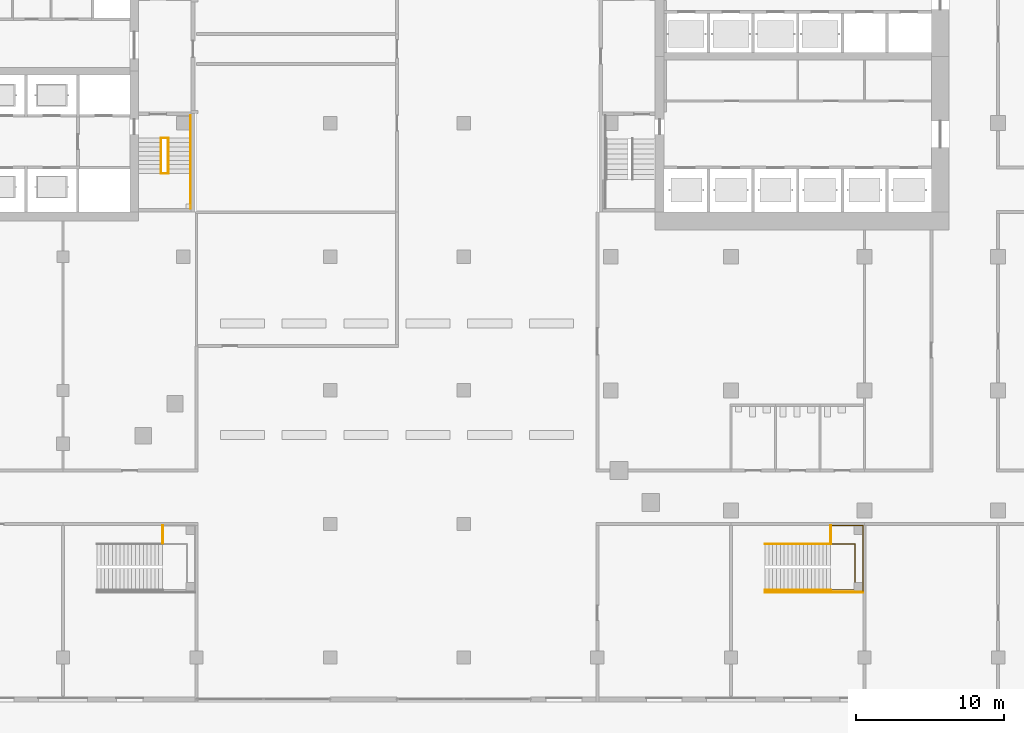
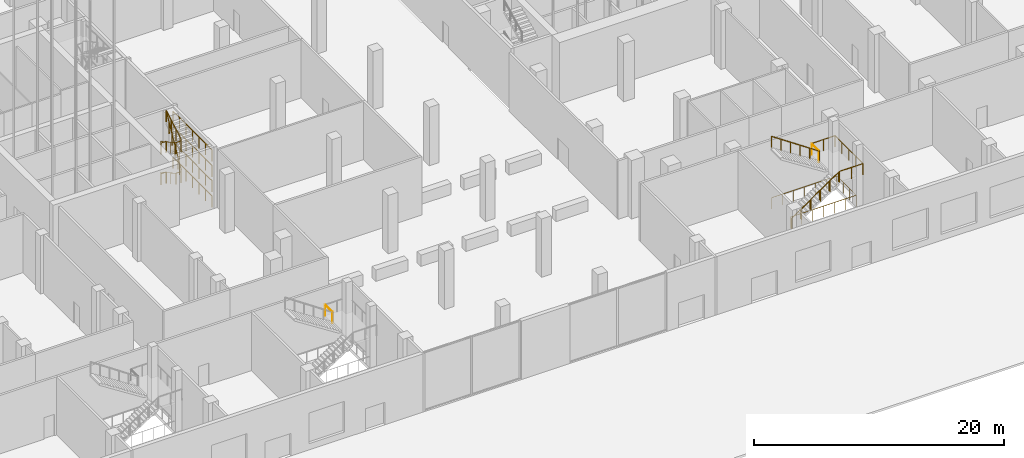
# One storey, part 48 of 55: 19 railings.
"""IFC4 building model written with IfcOpenShell, lengths in metres."""

from ifc_helpers import new_model, si_unit, direction, frame, origin, origin_2d, place, context, subcontext, project, spatial, circle, extrude, material, type_object, element, save


model = new_model("IFC4")

# Units and contexts
model_context = context("Model", 3, precision=1e-05, world=origin(), true_north=direction((0.0, 1.0)))
body_context = subcontext(model_context, "Body", "Model", "MODEL_VIEW")
ifc_project = project(units=[si_unit("LENGTHUNIT", "METRE"), si_unit("AREAUNIT", "SQUARE_METRE"), si_unit("VOLUMEUNIT", "CUBIC_METRE"), si_unit("PLANEANGLEUNIT", "RADIAN"), si_unit("MASSUNIT", "GRAM", prefix="KILO")], contexts=[model_context])

# Site, building, storey
site_placement = place(None, origin())
site = spatial("IfcSite", under=ifc_project, at=site_placement, CompositionType="ELEMENT")
building_placement = place(site_placement, origin())
building = spatial("IfcBuilding", under=site, at=building_placement, Name="Cinnabar Reach Civic Tower", CompositionType="ELEMENT")
storey_placement = place(building_placement, origin())
storey = spatial("IfcBuildingStorey", under=building, at=storey_placement, Name="L00", CompositionType="ELEMENT", Elevation=0.0)

# Railings
ifc_material_1 = material(Name="Stainless steel and glass", Category="steel")
railing_type_1 = type_object("IfcRailingType", Name="Podium guard 1100", PredefinedType="GUARDRAIL", material=ifc_material_1)
railing_1_placement = place(storey_placement, frame((15.72, -1.35, 3.0)))
element("IfcRailing", 1, at=railing_1_placement, inside=storey, type_object=railing_type_1, Name="Stair guard PS3 L00", PredefinedType="GUARDRAIL", context=body_context, shape_type="SweptSolid", body=[
    extrude(circle(Radius=0.024, at=origin_2d()), frame((0.0, 0.0, 1.076), z_axis=(-0.827413642594, 0.0, 0.561592970086), x_axis=(0.0, -1.0, 0.0)), (0.0, 0.0, 1.0), 5.3419),
    extrude(circle(Radius=0.021, at=origin_2d()), origin(), (0.0, 0.0, 1.0), 1.052),
    extrude(circle(Radius=0.021, at=origin_2d()), frame((-0.884, 0.0, 0.6)), (0.0, 0.0, 1.0), 1.052),
    extrude(circle(Radius=0.021, at=origin_2d()), frame((-1.768, 0.0, 1.2)), (0.0, 0.0, 1.0), 1.052),
    extrude(circle(Radius=0.021, at=origin_2d()), frame((-2.652, 0.0, 1.8)), (0.0, 0.0, 1.0), 1.052),
    extrude(circle(Radius=0.021, at=origin_2d()), frame((-3.536, 0.0, 2.4)), (0.0, 0.0, 1.0), 1.052),
    extrude(circle(Radius=0.021, at=origin_2d()), frame((-4.42, 0.0, 3.0)), (0.0, 0.0, 1.0), 1.052),
])
railing_2_placement = place(storey_placement, frame((15.72, -0.1, 3.0)))
element("IfcRailing", 2, at=railing_2_placement, inside=storey, type_object=railing_type_1, Name="Landing guard PS3 L00", PredefinedType="GUARDRAIL", context=body_context, shape_type="SweptSolid", body=[
    extrude(circle(Radius=0.024, at=origin_2d()), frame((0.0, 0.0, 1.076), z_axis=(1.0, 0.0, 0.0), x_axis=(0.0, 1.0, 0.0)), (0.0, 0.0, 1.0), 2.18),
    extrude(circle(Radius=0.024, at=origin_2d()), frame((2.18, 0.0, 1.076), z_axis=(0.0, -1.0, 0.0), x_axis=(1.0, 0.0, 0.0)), (0.0, 0.0, 1.0), 4.4),
    extrude(circle(Radius=0.021, at=origin_2d()), origin(), (0.0, 0.0, 1.0), 1.052),
    extrude(circle(Radius=0.021, at=origin_2d()), frame((1.09, 0.0, 0.0)), (0.0, 0.0, 1.0), 1.052),
    extrude(circle(Radius=0.021, at=origin_2d()), frame((2.18, 0.0, 0.0)), (0.0, 0.0, 1.0), 1.052),
    extrude(circle(Radius=0.021, at=origin_2d()), frame((2.18, -1.1, 0.0)), (0.0, 0.0, 1.0), 1.052),
    extrude(circle(Radius=0.021, at=origin_2d()), frame((2.18, -2.2, 0.0)), (0.0, 0.0, 1.0), 1.052),
    extrude(circle(Radius=0.021, at=origin_2d()), frame((2.18, -3.3, 0.0)), (0.0, 0.0, 1.0), 1.052),
    extrude(circle(Radius=0.021, at=origin_2d()), frame((2.18, -4.4, 0.0)), (0.0, 0.0, 1.0), 1.052),
])
railing_3_placement = place(storey_placement, frame((15.72, -1.3, 3.0)))
element("IfcRailing", 3, at=railing_3_placement, inside=storey, type_object=railing_type_1, Name="Landing guard PS3 L00 inner", PredefinedType="GUARDRAIL", context=body_context, shape_type="SweptSolid", body=[
    extrude(circle(Radius=0.024, at=origin_2d()), frame((0.0, 0.0, 1.076), z_axis=(0.0, 1.0, 0.0), x_axis=(-1.0, 0.0, 0.0)), (0.0, 0.0, 1.0), 1.2),
    extrude(circle(Radius=0.021, at=origin_2d()), origin(), (0.0, 0.0, 1.0), 1.052),
    extrude(circle(Radius=0.021, at=origin_2d()), frame((0.0, 1.2, 0.0)), (0.0, 0.0, 1.0), 1.052),
])
railing_4_placement = place(storey_placement, frame((11.3, -4.6, 0.0)))
element("IfcRailing", 4, at=railing_4_placement, inside=storey, type_object=railing_type_1, Name="Stair wall side guard PS3 L00", PredefinedType="GUARDRAIL", context=body_context, shape_type="SweptSolid", body=[
    extrude(circle(Radius=0.024, at=origin_2d()), frame((0.0, 0.0, 1.076), z_axis=(0.827413642594, 0.0, 0.561592970086), x_axis=(0.0, 1.0, 0.0)), (0.0, 0.0, 1.0), 5.3419),
    extrude(circle(Radius=0.024, at=origin_2d()), frame((4.42, 0.0, 4.076), z_axis=(1.0, 0.0, 0.0), x_axis=(0.0, 1.0, 0.0)), (0.0, 0.0, 1.0), 2.18),
    extrude(circle(Radius=0.021, at=origin_2d()), origin(), (0.0, 0.0, 1.0), 1.052),
    extrude(circle(Radius=0.021, at=origin_2d()), frame((0.884, 0.0, 0.6)), (0.0, 0.0, 1.0), 1.052),
    extrude(circle(Radius=0.021, at=origin_2d()), frame((1.768, 0.0, 1.2)), (0.0, 0.0, 1.0), 1.052),
    extrude(circle(Radius=0.021, at=origin_2d()), frame((2.652, 0.0, 1.8)), (0.0, 0.0, 1.0), 1.052),
    extrude(circle(Radius=0.021, at=origin_2d()), frame((3.536, 0.0, 2.4)), (0.0, 0.0, 1.0), 1.052),
    extrude(circle(Radius=0.021, at=origin_2d()), frame((4.42, 0.0, 3.0)), (0.0, 0.0, 1.0), 1.052),
    extrude(circle(Radius=0.021, at=origin_2d()), frame((5.51, 0.0, 3.0)), (0.0, 0.0, 1.0), 1.052),
    extrude(circle(Radius=0.021, at=origin_2d()), frame((6.6, 0.0, 3.0)), (0.0, 0.0, 1.0), 1.052),
])
railing_5_placement = place(storey_placement, frame((11.3, -4.45, 0.0)))
element("IfcRailing", 5, at=railing_5_placement, inside=storey, type_object=railing_type_1, Name="Stair well guard PS3 L00", PredefinedType="GUARDRAIL", context=body_context, shape_type="SweptSolid", body=[
    extrude(circle(Radius=0.024, at=origin_2d()), frame((0.0, 0.0, 1.076), z_axis=(1.0, 0.0, 0.0), x_axis=(0.0, 1.0, 0.0)), (0.0, 0.0, 1.0), 6.05),
    extrude(circle(Radius=0.024, at=origin_2d()), frame((6.05, 0.0, 1.076), z_axis=(0.0, 1.0, 0.0), x_axis=(-1.0, 0.0, 0.0)), (0.0, 0.0, 1.0), 3.1),
    extrude(circle(Radius=0.024, at=origin_2d()), frame((6.05, 3.1, 1.076), z_axis=(-1.0, 0.0, 0.0), x_axis=(0.0, -1.0, 0.0)), (0.0, 0.0, 1.0), 6.05),
    extrude(circle(Radius=0.021, at=origin_2d()), origin(), (0.0, 0.0, 1.0), 1.052),
    extrude(circle(Radius=0.021, at=origin_2d()), frame((1.0083, 0.0, 0.0)), (0.0, 0.0, 1.0), 1.052),
    extrude(circle(Radius=0.021, at=origin_2d()), frame((2.0167, 0.0, 0.0)), (0.0, 0.0, 1.0), 1.052),
    extrude(circle(Radius=0.021, at=origin_2d()), frame((3.025, 0.0, 0.0)), (0.0, 0.0, 1.0), 1.052),
    extrude(circle(Radius=0.021, at=origin_2d()), frame((4.0333, 0.0, 0.0)), (0.0, 0.0, 1.0), 1.052),
    extrude(circle(Radius=0.021, at=origin_2d()), frame((5.0417, 0.0, 0.0)), (0.0, 0.0, 1.0), 1.052),
    extrude(circle(Radius=0.021, at=origin_2d()), frame((6.05, 0.0, 0.0)), (0.0, 0.0, 1.0), 1.052),
    extrude(circle(Radius=0.021, at=origin_2d()), frame((6.05, 1.0333, 0.0)), (0.0, 0.0, 1.0), 1.052),
    extrude(circle(Radius=0.021, at=origin_2d()), frame((6.05, 2.0667, 0.0)), (0.0, 0.0, 1.0), 1.052),
    extrude(circle(Radius=0.021, at=origin_2d()), frame((6.05, 3.1, 0.0)), (0.0, 0.0, 1.0), 1.052),
    extrude(circle(Radius=0.021, at=origin_2d()), frame((5.0417, 3.1, 0.0)), (0.0, 0.0, 1.0), 1.052),
    extrude(circle(Radius=0.021, at=origin_2d()), frame((4.0333, 3.1, 0.0)), (0.0, 0.0, 1.0), 1.052),
    extrude(circle(Radius=0.021, at=origin_2d()), frame((3.025, 3.1, 0.0)), (0.0, 0.0, 1.0), 1.052),
    extrude(circle(Radius=0.021, at=origin_2d()), frame((2.0167, 3.1, 0.0)), (0.0, 0.0, 1.0), 1.052),
    extrude(circle(Radius=0.021, at=origin_2d()), frame((1.0083, 3.1, 0.0)), (0.0, 0.0, 1.0), 1.052),
    extrude(circle(Radius=0.021, at=origin_2d()), frame((0.0, 3.1, 0.0)), (0.0, 0.0, 1.0), 1.052),
])
railing_6_placement = place(storey_placement, frame((-29.28, -1.3, 3.0)))
element("IfcRailing", 6, at=railing_6_placement, inside=storey, type_object=railing_type_1, Name="Landing guard PS9 L00 inner", PredefinedType="GUARDRAIL", context=body_context, shape_type="SweptSolid", body=[
    extrude(circle(Radius=0.024, at=origin_2d()), frame((0.0, 0.0, 1.076), z_axis=(0.0, 1.0, 0.0), x_axis=(-1.0, 0.0, 0.0)), (0.0, 0.0, 1.0), 1.2),
    extrude(circle(Radius=0.021, at=origin_2d()), origin(), (0.0, 0.0, 1.0), 1.052),
    extrude(circle(Radius=0.021, at=origin_2d()), frame((0.0, 1.2, 0.0)), (0.0, 0.0, 1.0), 1.052),
])
ifc_material_2 = material(Name="Stainless steel", Category="steel")
railing_type_2 = type_object("IfcRailingType", Name="Podium stair handrail 900", PredefinedType="HANDRAIL", material=ifc_material_2)
railing_7_placement = place(storey_placement, frame((11.3, -4.45, 0.0)))
element("IfcRailing", 7, at=railing_7_placement, inside=storey, type_object=railing_type_2, Name="Stair handrail PS3 L00", PredefinedType="HANDRAIL", context=body_context, shape_type="SweptSolid", body=[
    extrude(circle(Radius=0.024, at=origin_2d()), frame((0.0, 0.0, 0.876), z_axis=(0.827413642594, 0.0, 0.561592970086), x_axis=(0.0, 1.0, 0.0)), (0.0, 0.0, 1.0), 5.3419),
    extrude(circle(Radius=0.021, at=origin_2d()), origin(), (0.0, 0.0, 1.0), 0.852),
    extrude(circle(Radius=0.021, at=origin_2d()), frame((0.884, 0.0, 0.6)), (0.0, 0.0, 1.0), 0.852),
    extrude(circle(Radius=0.021, at=origin_2d()), frame((1.768, 0.0, 1.2)), (0.0, 0.0, 1.0), 0.852),
    extrude(circle(Radius=0.021, at=origin_2d()), frame((2.652, 0.0, 1.8)), (0.0, 0.0, 1.0), 0.852),
    extrude(circle(Radius=0.021, at=origin_2d()), frame((3.536, 0.0, 2.4)), (0.0, 0.0, 1.0), 0.852),
    extrude(circle(Radius=0.021, at=origin_2d()), frame((4.42, 0.0, 3.0)), (0.0, 0.0, 1.0), 0.852),
])
railing_type_3 = type_object("IfcRailingType", Name="T2 Stair guard 1100", PredefinedType="GUARDRAIL", material=ifc_material_2)
for number, where, name in (
    (8, (-27.4, 21.25, 0.0), "Stair guard 1"),
    (9, (-27.4, 21.25, 1.5), "Stair guard 1"),
    (10, (-27.4, 21.25, 4.5), "Stair guard 1"),
    (11, (-27.4, 21.25, 3.0), "Stair guard 1"),
):
    element("IfcRailing", number, at=place(storey_placement, frame(where)), inside=storey, type_object=railing_type_3, Name=name, PredefinedType="GUARDRAIL", context=body_context, shape_type="SweptSolid", body=[
        extrude(circle(Radius=0.024, at=origin_2d()), frame((0.0, 0.0, 1.076), z_axis=(0.0, 1.0, 0.0), x_axis=(-1.0, 0.0, 0.0)), (0.0, 0.0, 1.0), 6.25),
        extrude(circle(Radius=0.021, at=origin_2d()), origin(), (0.0, 0.0, 1.0), 1.052),
        extrude(circle(Radius=0.021, at=origin_2d()), frame((0.0, 1.0417, 0.0)), (0.0, 0.0, 1.0), 1.052),
        extrude(circle(Radius=0.021, at=origin_2d()), frame((0.0, 2.0833, 0.0)), (0.0, 0.0, 1.0), 1.052),
        extrude(circle(Radius=0.021, at=origin_2d()), frame((0.0, 3.125, 0.0)), (0.0, 0.0, 1.0), 1.052),
        extrude(circle(Radius=0.021, at=origin_2d()), frame((0.0, 4.1667, 0.0)), (0.0, 0.0, 1.0), 1.052),
        extrude(circle(Radius=0.021, at=origin_2d()), frame((0.0, 5.2083, 0.0)), (0.0, 0.0, 1.0), 1.052),
        extrude(circle(Radius=0.021, at=origin_2d()), frame((0.0, 6.25, 0.0)), (0.0, 0.0, 1.0), 1.052),
    ])
for number, where, name in (
    (12, (-29.4, 26.0, 0.0), "Stair guard 1"),
    (13, (-29.4, 23.6, 1.5), "Stair guard 1"),
):
    element("IfcRailing", number, at=place(storey_placement, frame(where)), inside=storey, type_object=railing_type_3, Name=name, PredefinedType="GUARDRAIL", context=body_context, shape_type="SweptSolid", body=[
        extrude(circle(Radius=0.024, at=origin_2d()), frame((0.0, 0.0, 1.076), z_axis=(1.0, 0.0, 0.0), x_axis=(0.0, 1.0, 0.0)), (0.0, 0.0, 1.0), 0.5),
        extrude(circle(Radius=0.021, at=origin_2d()), origin(), (0.0, 0.0, 1.0), 1.052),
        extrude(circle(Radius=0.021, at=origin_2d()), frame((0.5, 0.0, 0.0)), (0.0, 0.0, 1.0), 1.052),
    ])
railing_8_placement = place(storey_placement, frame((-29.4, 26.0, 0.1667)))
element("IfcRailing", 14, at=railing_8_placement, inside=storey, type_object=railing_type_3, Name="Stair guard 1", PredefinedType="GUARDRAIL", context=body_context, shape_type="SweptSolid", body=[
    extrude(circle(Radius=0.024, at=origin_2d()), frame((0.0, 0.0, 1.076), z_axis=(0.0, -0.874162430332, 0.485633653484), x_axis=(1.0, 0.0, 0.0)), (0.0, 0.0, 1.0), 2.7455),
    extrude(circle(Radius=0.021, at=origin_2d()), origin(), (0.0, 0.0, 1.0), 1.052),
    extrude(circle(Radius=0.021, at=origin_2d()), frame((0.0, -0.8, 0.4444)), (0.0, 0.0, 1.0), 1.052),
    extrude(circle(Radius=0.021, at=origin_2d()), frame((0.0, -1.6, 0.8889)), (0.0, 0.0, 1.0), 1.052),
    extrude(circle(Radius=0.021, at=origin_2d()), frame((0.0, -2.4, 1.3333)), (0.0, 0.0, 1.0), 1.052),
])
railing_9_placement = place(storey_placement, frame((-28.9, 23.6, 1.6667)))
element("IfcRailing", 15, at=railing_9_placement, inside=storey, type_object=railing_type_3, Name="Stair guard 1", PredefinedType="GUARDRAIL", context=body_context, shape_type="SweptSolid", body=[
    extrude(circle(Radius=0.024, at=origin_2d()), frame((0.0, 0.0, 1.076), z_axis=(0.0, 0.484502680064, 0.874789776467), x_axis=(-1.0, 0.0, 0.0)), (0.0, 0.0, 1.0), 4.9535),
    extrude(circle(Radius=0.021, at=origin_2d()), origin(), (0.0, 0.0, 1.0), 1.052),
    extrude(circle(Radius=0.021, at=origin_2d()), frame((0.0, 0.48, 0.8667)), (0.0, 0.0, 1.0), 1.052),
    extrude(circle(Radius=0.021, at=origin_2d()), frame((0.0, 0.96, 1.7333)), (0.0, 0.0, 1.0), 1.052),
    extrude(circle(Radius=0.021, at=origin_2d()), frame((0.0, 1.44, 2.6)), (0.0, 0.0, 1.0), 1.052),
    extrude(circle(Radius=0.021, at=origin_2d()), frame((0.0, 1.92, 3.4666)), (0.0, 0.0, 1.0), 1.052),
    extrude(circle(Radius=0.021, at=origin_2d()), frame((0.0, 2.4, 4.3333)), (0.0, 0.0, 1.0), 1.052),
])
for number, where, name in (
    (16, (-29.4, 26.0, 3.0), "Stair guard 1"),
    (17, (-29.4, 23.6, 4.5), "Stair guard 1"),
):
    element("IfcRailing", number, at=place(storey_placement, frame(where)), inside=storey, type_object=railing_type_3, Name=name, PredefinedType="GUARDRAIL", context=body_context, shape_type="SweptSolid", body=[
        extrude(circle(Radius=0.024, at=origin_2d()), frame((0.0, 0.0, 1.076), z_axis=(1.0, 0.0, 0.0), x_axis=(0.0, 1.0, 0.0)), (0.0, 0.0, 1.0), 0.5),
        extrude(circle(Radius=0.021, at=origin_2d()), origin(), (0.0, 0.0, 1.0), 1.052),
        extrude(circle(Radius=0.021, at=origin_2d()), frame((0.5, 0.0, 0.0)), (0.0, 0.0, 1.0), 1.052),
    ])
railing_10_placement = place(storey_placement, frame((-29.4, 26.0, 3.1667)))
element("IfcRailing", 18, at=railing_10_placement, inside=storey, type_object=railing_type_3, Name="Stair guard 1", PredefinedType="GUARDRAIL", context=body_context, shape_type="SweptSolid", body=[
    extrude(circle(Radius=0.024, at=origin_2d()), frame((0.0, 0.0, 1.076), z_axis=(0.0, -0.874162430332, 0.485633653484), x_axis=(1.0, 0.0, 0.0)), (0.0, 0.0, 1.0), 2.7455),
    extrude(circle(Radius=0.021, at=origin_2d()), origin(), (0.0, 0.0, 1.0), 1.052),
    extrude(circle(Radius=0.021, at=origin_2d()), frame((0.0, -0.8, 0.4444)), (0.0, 0.0, 1.0), 1.052),
    extrude(circle(Radius=0.021, at=origin_2d()), frame((0.0, -1.6, 0.8889)), (0.0, 0.0, 1.0), 1.052),
    extrude(circle(Radius=0.021, at=origin_2d()), frame((0.0, -2.4, 1.3333)), (0.0, 0.0, 1.0), 1.052),
])
railing_11_placement = place(storey_placement, frame((-28.9, 23.6, 4.6667)))
element("IfcRailing", 19, at=railing_11_placement, inside=storey, type_object=railing_type_3, Name="Stair guard 1", PredefinedType="GUARDRAIL", context=body_context, shape_type="SweptSolid", body=[
    extrude(circle(Radius=0.024, at=origin_2d()), frame((0.0, 0.0, 1.076), z_axis=(0.0, 0.874162430332, 0.485633653484), x_axis=(-1.0, 0.0, 0.0)), (0.0, 0.0, 1.0), 2.7455),
    extrude(circle(Radius=0.021, at=origin_2d()), origin(), (0.0, 0.0, 1.0), 1.052),
    extrude(circle(Radius=0.021, at=origin_2d()), frame((0.0, 0.8, 0.4444)), (0.0, 0.0, 1.0), 1.052),
    extrude(circle(Radius=0.021, at=origin_2d()), frame((0.0, 1.6, 0.8889)), (0.0, 0.0, 1.0), 1.052),
    extrude(circle(Radius=0.021, at=origin_2d()), frame((0.0, 2.4, 1.3333)), (0.0, 0.0, 1.0), 1.052),
])

save(model, "model.ifc")
